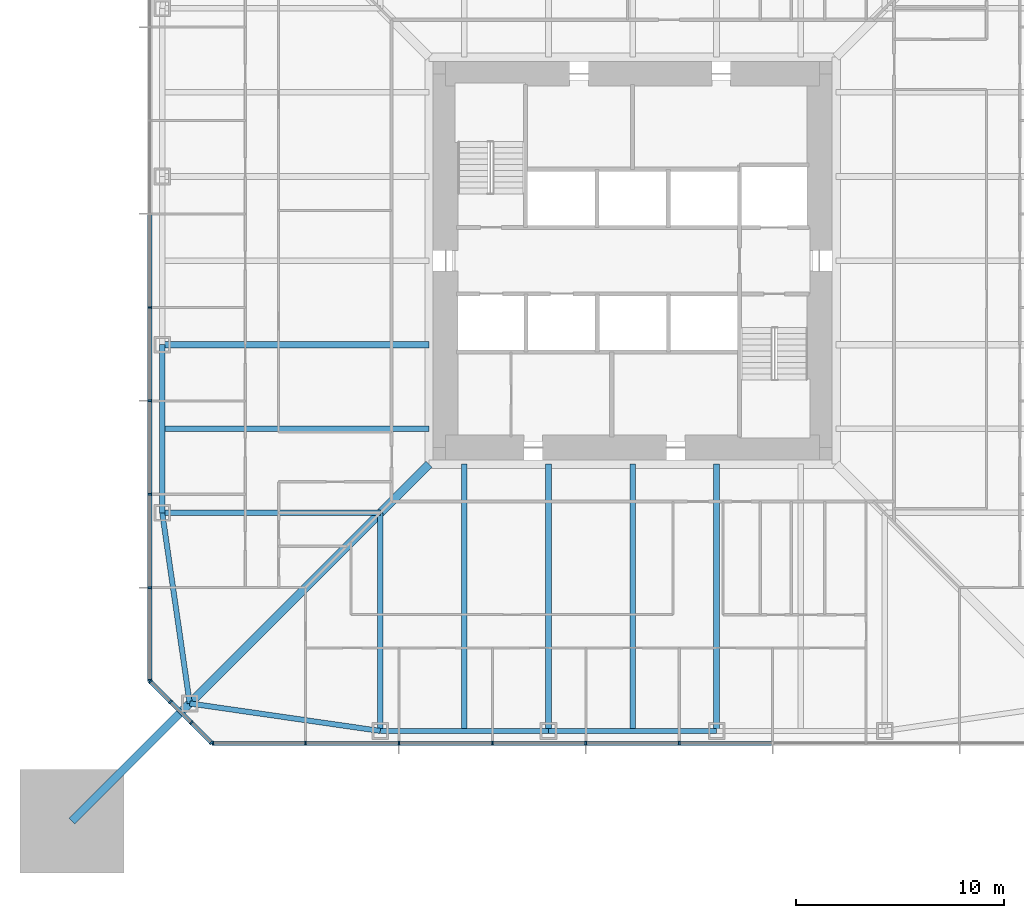
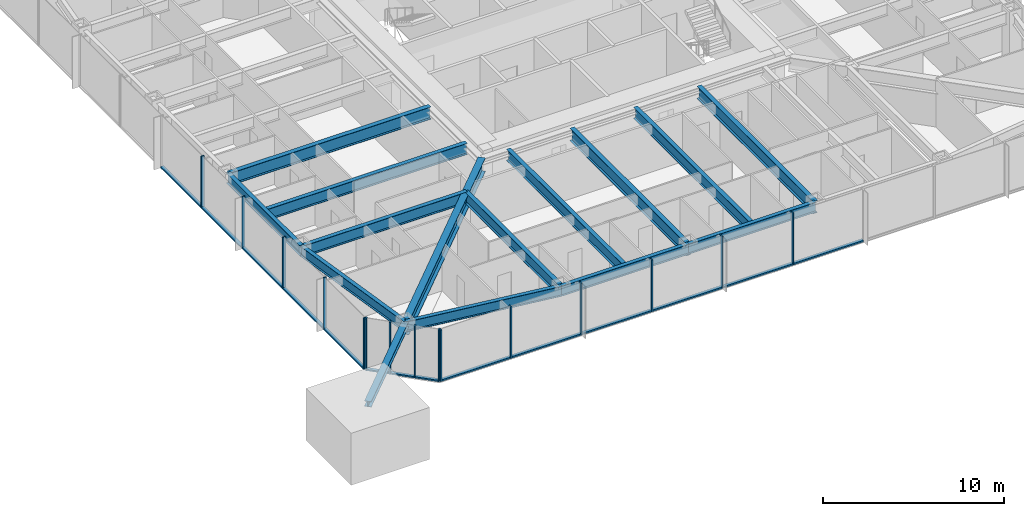
# One storey, part 3 of 26: 30 members, 14 beams, 3 elements without a shape of their own.
"""IFC4 building model written with IfcOpenShell, lengths in metres."""

from ifc_helpers import new_model, si_unit, direction, frame, origin, origin_2d, place, context, subcontext, project, spatial, rectangle, i_section, extrude, material, material_profile, profile_set, type_object, element, aggregate, save


model = new_model("IFC4")

# Units and contexts
model_context = context("Model", 3, precision=1e-05, world=origin(), true_north=direction((0.0, 1.0)))
body_context = subcontext(model_context, "Body", "Model", "MODEL_VIEW")
ifc_project = project(units=[si_unit("LENGTHUNIT", "METRE"), si_unit("AREAUNIT", "SQUARE_METRE"), si_unit("VOLUMEUNIT", "CUBIC_METRE"), si_unit("PLANEANGLEUNIT", "RADIAN"), si_unit("MASSUNIT", "GRAM", prefix="KILO")], contexts=[model_context])

# Site, building, storey
site_placement = place(None, origin())
site = spatial("IfcSite", under=ifc_project, at=site_placement, CompositionType="ELEMENT")
building_placement = place(site_placement, origin())
building = spatial("IfcBuilding", under=site, at=building_placement, Name="Iwan Alto Co-Living Towers", CompositionType="ELEMENT")
storey_placement = place(building_placement, frame((0.0, 0.0, 32.5)))
storey = spatial("IfcBuildingStorey", under=building, at=storey_placement, Name="L08", CompositionType="ELEMENT", Elevation=32.5)

# Curtain wall, members
ifc_material_1 = material(Name="Bronze aluminium unitised frame", Category="aluminium")
curtain_wall_type_1 = type_object("IfcCurtainWallType", Name="CURTAIN WALL CW-A", PredefinedType="NOTDEFINED", material=ifc_material_1)
curtain_wall_1_placement = place(storey_placement, origin())
curtain_wall_1 = element("IfcCurtainWall", 1, at=curtain_wall_1_placement, inside=storey, type_object=curtain_wall_type_1, Name="T1 curtain wall S L08", PredefinedType="NOTDEFINED")
ifc_material_2 = material(Name="Aluminium 6063-T6 bronze anodised", Category="aluminium")
ifc_material_profile_1 = material_profile(ifc_material_2, rectangle(XDim=0.199951171875, YDim=0.080078125, at=origin_2d()), Name="AL 80X200")
ifc_profile_set_1 = profile_set([ifc_material_profile_1], Name="Aluminium 6063-T6 bronze anodised")
member_type_1 = type_object("IfcMemberType", Name="CW-A MULLION 80X200", PredefinedType="MULLION", material=ifc_profile_set_1)
member_1_placement = place(storey_placement, frame((-20.2099609375, -23.25, 0.0), z_axis=(0.0, 0.0, 1.0), x_axis=(0.0, 1.0, 0.0)))
member_1 = element("IfcMember", 2, at=member_1_placement, type_object=member_type_1, Name="CW-A mullion 1", PredefinedType="MULLION", context=body_context, shape_type="SweptSolid", body=[
    extrude(rectangle(XDim=0.199951171875, YDim=0.080078125, at=origin_2d()), origin(), (0.0, 0.0, 1.0), 3.5),
])
member_2_placement = place(storey_placement, frame((-15.75, -23.25, 0.0), z_axis=(0.0, 0.0, 1.0), x_axis=(0.0, 1.0, 0.0)))
member_2 = element("IfcMember", 3, at=member_2_placement, type_object=member_type_1, Name="CW-A mullion 2", PredefinedType="MULLION", context=body_context, shape_type="SweptSolid", body=[
    extrude(rectangle(XDim=0.199951171875, YDim=0.080078125, at=origin_2d()), origin(), (0.0, 0.0, 1.0), 3.5),
])
member_3_placement = place(storey_placement, frame((-11.25, -23.25, 0.0), z_axis=(0.0, 0.0, 1.0), x_axis=(0.0, 1.0, 0.0)))
member_3 = element("IfcMember", 4, at=member_3_placement, type_object=member_type_1, Name="CW-A mullion 3", PredefinedType="MULLION", context=body_context, shape_type="SweptSolid", body=[
    extrude(rectangle(XDim=0.199951171875, YDim=0.080078125, at=origin_2d()), origin(), (0.0, 0.0, 1.0), 3.5),
])
member_4_placement = place(storey_placement, frame((-6.75, -23.25, 0.0), z_axis=(0.0, 0.0, 1.0), x_axis=(0.0, 1.0, 0.0)))
member_4 = element("IfcMember", 5, at=member_4_placement, type_object=member_type_1, Name="CW-A mullion 4", PredefinedType="MULLION", context=body_context, shape_type="SweptSolid", body=[
    extrude(rectangle(XDim=0.199951171875, YDim=0.080078125, at=origin_2d()), origin(), (0.0, 0.0, 1.0), 3.5),
])
member_5_placement = place(storey_placement, frame((-2.25, -23.25, 0.0), z_axis=(0.0, 0.0, 1.0), x_axis=(0.0, 1.0, 0.0)))
member_5 = element("IfcMember", 6, at=member_5_placement, type_object=member_type_1, Name="CW-A mullion 5", PredefinedType="MULLION", context=body_context, shape_type="SweptSolid", body=[
    extrude(rectangle(XDim=0.199951171875, YDim=0.080078125, at=origin_2d()), origin(), (0.0, 0.0, 1.0), 3.5),
])
member_6_placement = place(storey_placement, frame((2.25, -23.25, 0.0), z_axis=(0.0, 0.0, 1.0), x_axis=(0.0, 1.0, 0.0)))
member_6 = element("IfcMember", 7, at=member_6_placement, type_object=member_type_1, Name="CW-A mullion 6", PredefinedType="MULLION", context=body_context, shape_type="SweptSolid", body=[
    extrude(rectangle(XDim=0.199951171875, YDim=0.080078125, at=origin_2d()), origin(), (0.0, 0.0, 1.0), 3.5),
])

curtain_wall_2_placement = place(storey_placement, origin())
curtain_wall_2 = element("IfcCurtainWall", 8, at=curtain_wall_2_placement, inside=storey, type_object=curtain_wall_type_1, Name="T1 curtain wall W L08", PredefinedType="NOTDEFINED")
member_7_placement = place(storey_placement, frame((-23.25, -2.25, 0.0), z_axis=(0.0, 0.0, 1.0), x_axis=(1.0, 0.0, 0.0)))
member_7 = element("IfcMember", 9, at=member_7_placement, type_object=member_type_1, Name="CW-A mullion 6", PredefinedType="MULLION", context=body_context, shape_type="SweptSolid", body=[
    extrude(rectangle(XDim=0.199951171875, YDim=0.080078125, at=origin_2d()), origin(), (0.0, 0.0, 1.0), 3.5),
])
member_8_placement = place(storey_placement, frame((-23.25, -6.75, 0.0), z_axis=(0.0, 0.0, 1.0), x_axis=(1.0, 0.0, 0.0)))
member_8 = element("IfcMember", 10, at=member_8_placement, type_object=member_type_1, Name="CW-A mullion 7", PredefinedType="MULLION", context=body_context, shape_type="SweptSolid", body=[
    extrude(rectangle(XDim=0.199951171875, YDim=0.080078125, at=origin_2d()), origin(), (0.0, 0.0, 1.0), 3.5),
])
member_9_placement = place(storey_placement, frame((-23.25, -11.25, 0.0), z_axis=(0.0, 0.0, 1.0), x_axis=(1.0, 0.0, 0.0)))
member_9 = element("IfcMember", 11, at=member_9_placement, type_object=member_type_1, Name="CW-A mullion 8", PredefinedType="MULLION", context=body_context, shape_type="SweptSolid", body=[
    extrude(rectangle(XDim=0.199951171875, YDim=0.080078125, at=origin_2d()), origin(), (0.0, 0.0, 1.0), 3.5),
])
member_10_placement = place(storey_placement, frame((-23.25, -15.75, 0.0), z_axis=(0.0, 0.0, 1.0), x_axis=(1.0, 0.0, 0.0)))
member_10 = element("IfcMember", 12, at=member_10_placement, type_object=member_type_1, Name="CW-A mullion 9", PredefinedType="MULLION", context=body_context, shape_type="SweptSolid", body=[
    extrude(rectangle(XDim=0.199951171875, YDim=0.080078125, at=origin_2d()), origin(), (0.0, 0.0, 1.0), 3.5),
])
member_11_placement = place(storey_placement, frame((-23.25, -20.2099609375, 0.0), z_axis=(0.0, 0.0, 1.0), x_axis=(1.0, 0.0, 0.0)))
member_11 = element("IfcMember", 13, at=member_11_placement, type_object=member_type_1, Name="CW-A mullion 10", PredefinedType="MULLION", context=body_context, shape_type="SweptSolid", body=[
    extrude(rectangle(XDim=0.199951171875, YDim=0.080078125, at=origin_2d()), origin(), (0.0, 0.0, 1.0), 3.5),
])

# Member
ifc_material_3 = material(Name="Aluminium 6063-T6 bronze anodised", Category="aluminium")
ifc_material_profile_2 = material_profile(ifc_material_3, rectangle(XDim=0.199951171875, YDim=0.10009765625, at=origin_2d()), Name="AL 200X100")
ifc_profile_set_2 = profile_set([ifc_material_profile_2], Name="Aluminium 6063-T6 bronze anodised")
member_type_2 = type_object("IfcMemberType", Name="CW-A TRANSOM 200X100", PredefinedType="USERDEFINED", material=ifc_profile_set_2)
member_12_placement = place(storey_placement, frame((-20.169921875, -23.25, 0.050048828125), z_axis=(1.0, 0.0, 0.0), x_axis=(0.0, 1.0, 0.0)))
member_12 = element("IfcMember", 14, at=member_12_placement, type_object=member_type_2, Name="CW-A transom 1.1", ObjectType="TRANSOM", PredefinedType="USERDEFINED", context=body_context, shape_type="SweptSolid", body=[
    extrude(rectangle(XDim=0.199951171875, YDim=0.10009765625, at=origin_2d()), origin(), (0.0, 0.0, 1.0), 4.3798828125),
])

member_13_placement = place(storey_placement, frame((-15.7099609375, -23.25, 0.050048828125), z_axis=(1.0, 0.0, 0.0), x_axis=(0.0, 1.0, 0.0)))
member_13 = element("IfcMember", 15, at=member_13_placement, type_object=member_type_2, Name="CW-A transom 2.1", ObjectType="TRANSOM", PredefinedType="USERDEFINED", context=body_context, shape_type="SweptSolid", body=[
    extrude(rectangle(XDim=0.199951171875, YDim=0.10009765625, at=origin_2d()), origin(), (0.0, 0.0, 1.0), 4.419921875),
])

member_14_placement = place(storey_placement, frame((-11.2099609375, -23.25, 0.050048828125), z_axis=(1.0, 0.0, 0.0), x_axis=(0.0, 1.0, 0.0)))
member_14 = element("IfcMember", 16, at=member_14_placement, type_object=member_type_2, Name="CW-A transom 3.1", ObjectType="TRANSOM", PredefinedType="USERDEFINED", context=body_context, shape_type="SweptSolid", body=[
    extrude(rectangle(XDim=0.199951171875, YDim=0.10009765625, at=origin_2d()), origin(), (0.0, 0.0, 1.0), 4.419921875),
])

member_15_placement = place(storey_placement, frame((-6.7099609375, -23.25, 0.050048828125), z_axis=(1.0, 0.0, 0.0), x_axis=(0.0, 1.0, 0.0)))
member_15 = element("IfcMember", 17, at=member_15_placement, type_object=member_type_2, Name="CW-A transom 4.1", ObjectType="TRANSOM", PredefinedType="USERDEFINED", context=body_context, shape_type="SweptSolid", body=[
    extrude(rectangle(XDim=0.199951171875, YDim=0.10009765625, at=origin_2d()), origin(), (0.0, 0.0, 1.0), 4.419921875),
])

member_16_placement = place(storey_placement, frame((-2.2099609375, -23.25, 0.050048828125), z_axis=(1.0, 0.0, 0.0), x_axis=(0.0, 1.0, 0.0)))
member_16 = element("IfcMember", 18, at=member_16_placement, type_object=member_type_2, Name="CW-A transom 5.1", ObjectType="TRANSOM", PredefinedType="USERDEFINED", context=body_context, shape_type="SweptSolid", body=[
    extrude(rectangle(XDim=0.199951171875, YDim=0.10009765625, at=origin_2d()), origin(), (0.0, 0.0, 1.0), 4.419921875),
])

member_17_placement = place(storey_placement, frame((2.2900390625, -23.25, 0.050048828125), z_axis=(1.0, 0.0, 0.0), x_axis=(0.0, 1.0, 0.0)))
member_17 = element("IfcMember", 19, at=member_17_placement, type_object=member_type_2, Name="CW-A transom 6.1", ObjectType="TRANSOM", PredefinedType="USERDEFINED", context=body_context, shape_type="SweptSolid", body=[
    extrude(rectangle(XDim=0.199951171875, YDim=0.10009765625, at=origin_2d()), origin(), (0.0, 0.0, 1.0), 4.419921875),
])

aggregate(curtain_wall_1, [member_1, member_2, member_3, member_4, member_5, member_6, member_12, member_13, member_14, member_15, member_16, member_17])

member_18_placement = place(storey_placement, frame((-23.25, 2.2099609375, 0.050048828125), z_axis=(0.0, -1.0, 0.0), x_axis=(1.0, 0.0, 0.0)))
member_18 = element("IfcMember", 20, at=member_18_placement, type_object=member_type_2, Name="CW-A transom 5.1", ObjectType="TRANSOM", PredefinedType="USERDEFINED", context=body_context, shape_type="SweptSolid", body=[
    extrude(rectangle(XDim=0.199951171875, YDim=0.10009765625, at=origin_2d()), origin(), (0.0, 0.0, 1.0), 4.419921875),
])

member_19_placement = place(storey_placement, frame((-23.25, -2.2900390625, 0.050048828125), z_axis=(0.0, -1.0, 0.0), x_axis=(1.0, 0.0, 0.0)))
member_19 = element("IfcMember", 21, at=member_19_placement, type_object=member_type_2, Name="CW-A transom 6.1", ObjectType="TRANSOM", PredefinedType="USERDEFINED", context=body_context, shape_type="SweptSolid", body=[
    extrude(rectangle(XDim=0.199951171875, YDim=0.10009765625, at=origin_2d()), origin(), (0.0, 0.0, 1.0), 4.419921875),
])

member_20_placement = place(storey_placement, frame((-23.25, -6.7900390625, 0.050048828125), z_axis=(0.0, -1.0, 0.0), x_axis=(1.0, 0.0, 0.0)))
member_20 = element("IfcMember", 22, at=member_20_placement, type_object=member_type_2, Name="CW-A transom 7.1", ObjectType="TRANSOM", PredefinedType="USERDEFINED", context=body_context, shape_type="SweptSolid", body=[
    extrude(rectangle(XDim=0.199951171875, YDim=0.10009765625, at=origin_2d()), origin(), (0.0, 0.0, 1.0), 4.419921875),
])

member_21_placement = place(storey_placement, frame((-23.25, -11.2900390625, 0.050048828125), z_axis=(0.0, -1.0, 0.0), x_axis=(1.0, 0.0, 0.0)))
member_21 = element("IfcMember", 23, at=member_21_placement, type_object=member_type_2, Name="CW-A transom 8.1", ObjectType="TRANSOM", PredefinedType="USERDEFINED", context=body_context, shape_type="SweptSolid", body=[
    extrude(rectangle(XDim=0.199951171875, YDim=0.10009765625, at=origin_2d()), origin(), (0.0, 0.0, 1.0), 4.419921875),
])

member_22_placement = place(storey_placement, frame((-23.25, -15.7900390625, 0.050048828125), z_axis=(0.0, -1.0, 0.0), x_axis=(1.0, 0.0, 0.0)))
member_22 = element("IfcMember", 24, at=member_22_placement, type_object=member_type_2, Name="CW-A transom 9.1", ObjectType="TRANSOM", PredefinedType="USERDEFINED", context=body_context, shape_type="SweptSolid", body=[
    extrude(rectangle(XDim=0.199951171875, YDim=0.10009765625, at=origin_2d()), origin(), (0.0, 0.0, 1.0), 4.3798828125),
])

aggregate(curtain_wall_2, [member_7, member_8, member_9, member_10, member_11, member_18, member_19, member_20, member_21, member_22])

# Curtain wall, members
ifc_material_4 = material(Name="Bronze aluminium unitised frame", Category="aluminium")
curtain_wall_type_2 = type_object("IfcCurtainWallType", Name="CURTAIN WALL CW-B", PredefinedType="NOTDEFINED", material=ifc_material_4)
curtain_wall_3_placement = place(storey_placement, origin())
curtain_wall_3 = element("IfcCurtainWall", 25, at=curtain_wall_3_placement, inside=storey, type_object=curtain_wall_type_2, Name="T1 chamfer curtain wall SW L08", PredefinedType="NOTDEFINED")
ifc_material_5 = material(Name="Aluminium 6063-T6 bronze anodised", Category="aluminium")
ifc_material_profile_3 = material_profile(ifc_material_5, rectangle(XDim=0.199951171875, YDim=0.080078125, at=origin_2d()), Name="AL 80X200")
ifc_profile_set_3 = profile_set([ifc_material_profile_3], Name="Aluminium 6063-T6 bronze anodised")
member_type_3 = type_object("IfcMemberType", Name="CW-B MULLION 80X200", PredefinedType="MULLION", material=ifc_profile_set_3)
member_23_placement = place(storey_placement, frame((-23.2216796875, -20.2783203125, 0.0), z_axis=(0.0, 0.0, 1.0), x_axis=(0.707106781187, 0.707106781187, 0.0)))
member_23 = element("IfcMember", 26, at=member_23_placement, type_object=member_type_3, Name="CW-B mullion 1", PredefinedType="MULLION", context=body_context, shape_type="SweptSolid", body=[
    extrude(rectangle(XDim=0.199951171875, YDim=0.080078125, at=origin_2d()), origin(), (0.0, 0.0, 1.0), 3.5),
])
member_24_placement = place(storey_placement, frame((-22.25, -21.25, 0.0), z_axis=(0.0, 0.0, 1.0), x_axis=(0.707106781187, 0.707106781187, 0.0)))
member_24 = element("IfcMember", 27, at=member_24_placement, type_object=member_type_3, Name="CW-B mullion 2", PredefinedType="MULLION", context=body_context, shape_type="SweptSolid", body=[
    extrude(rectangle(XDim=0.199951171875, YDim=0.080078125, at=origin_2d()), origin(), (0.0, 0.0, 1.0), 3.5),
])
member_25_placement = place(storey_placement, frame((-21.25, -22.25, 0.0), z_axis=(0.0, 0.0, 1.0), x_axis=(0.707106781187, 0.707106781187, 0.0)))
member_25 = element("IfcMember", 28, at=member_25_placement, type_object=member_type_3, Name="CW-B mullion 3", PredefinedType="MULLION", context=body_context, shape_type="SweptSolid", body=[
    extrude(rectangle(XDim=0.199951171875, YDim=0.080078125, at=origin_2d()), origin(), (0.0, 0.0, 1.0), 3.5),
])
member_26_placement = place(storey_placement, frame((-20.2783203125, -23.2216796875, 0.0), z_axis=(0.0, 0.0, 1.0), x_axis=(0.707106781187, 0.707106781187, 0.0)))
member_26 = element("IfcMember", 29, at=member_26_placement, type_object=member_type_3, Name="CW-B mullion 4", PredefinedType="MULLION", context=body_context, shape_type="SweptSolid", body=[
    extrude(rectangle(XDim=0.199951171875, YDim=0.080078125, at=origin_2d()), origin(), (0.0, 0.0, 1.0), 3.5),
])
ifc_material_6 = material(Name="Aluminium 6063-T6 bronze anodised", Category="aluminium")
ifc_material_profile_4 = material_profile(ifc_material_6, rectangle(XDim=0.199951171875, YDim=0.10009765625, at=origin_2d()), Name="AL 200X100")
ifc_profile_set_4 = profile_set([ifc_material_profile_4], Name="Aluminium 6063-T6 bronze anodised")
member_type_4 = type_object("IfcMemberType", Name="CW-B TRANSOM 200X100", PredefinedType="USERDEFINED", material=ifc_profile_set_4)
member_27_placement = place(storey_placement, frame((-23.193359375, -20.306640625, 0.050048828125), z_axis=(0.707106781187, -0.707106781187, 0.0), x_axis=(0.707106781187, 0.707106781187, 0.0)))
member_27 = element("IfcMember", 30, at=member_27_placement, type_object=member_type_4, Name="CW-B transom 1.1", ObjectType="TRANSOM", PredefinedType="USERDEFINED", context=body_context, shape_type="SweptSolid", body=[
    extrude(rectangle(XDim=0.199951171875, YDim=0.10009765625, at=origin_2d()), origin(), (0.0, 0.0, 1.0), 1.2939453125),
])
member_28_placement = place(storey_placement, frame((-22.2216796875, -21.2783203125, 0.050048828125), z_axis=(0.707106781187, -0.707106781187, 0.0), x_axis=(0.707106781187, 0.707106781187, 0.0)))
member_28 = element("IfcMember", 31, at=member_28_placement, type_object=member_type_4, Name="CW-B transom 2.1", ObjectType="TRANSOM", PredefinedType="USERDEFINED", context=body_context, shape_type="SweptSolid", body=[
    extrude(rectangle(XDim=0.199951171875, YDim=0.10009765625, at=origin_2d()), origin(), (0.0, 0.0, 1.0), 1.334228515625),
])
member_29_placement = place(storey_placement, frame((-21.2216796875, -22.2783203125, 0.050048828125), z_axis=(0.707106781187, -0.707106781187, 0.0), x_axis=(0.707106781187, 0.707106781187, 0.0)))
member_29 = element("IfcMember", 32, at=member_29_placement, type_object=member_type_4, Name="CW-B transom 3.1", ObjectType="TRANSOM", PredefinedType="USERDEFINED", context=body_context, shape_type="SweptSolid", body=[
    extrude(rectangle(XDim=0.199951171875, YDim=0.10009765625, at=origin_2d()), origin(), (0.0, 0.0, 1.0), 1.2939453125),
])
aggregate(curtain_wall_3, [member_23, member_24, member_25, member_26, member_27, member_28, member_29])

# Beams
ifc_material_7 = material(Name="Steel ASTM A992 Gr 50", Category="steel")
ifc_material_profile_5 = material_profile(ifc_material_7, i_section(OverallWidth=0.419189453125, OverallDepth=0.927001953125, WebThickness=0.019287109375, FlangeThickness=0.031982421875, at=origin_2d()), Name="W36X231")
ifc_profile_set_5 = profile_set([ifc_material_profile_5], Name="Steel ASTM A992 Gr 50")
beam_type_1 = type_object("IfcBeamType", Name="T1 CORNER GIRDER W36X231", PredefinedType="BEAM", material=ifc_profile_set_5)
beam_1_placement = place(storey_placement, frame((-21.32568359375, -21.32568359375, 2.806396484375), z_axis=(0.707106781187, 0.707106781187, 0.0), x_axis=(-0.707106781187, 0.707106781187, 0.0)))
element("IfcBeam", 33, at=beam_1_placement, inside=storey, type_object=beam_type_1, Name="T1 corner girder CSW L09", PredefinedType="BEAM", context=body_context, shape_type="SweptSolid", body=[
    extrude(i_section(OverallWidth=0.419189453125, OverallDepth=0.927001953125, WebThickness=0.019287109375, FlangeThickness=0.031982421875, at=origin_2d()), origin(), (0.0, 0.0, 1.0), 16.296875),
])
ifc_material_8 = material(Name="Steel ASTM A992 Gr 50", Category="steel")
ifc_material_profile_6 = material_profile(ifc_material_8, i_section(OverallWidth=0.25390625, OverallDepth=0.683349609375, WebThickness=0.012451171875, FlangeThickness=0.018798828125, at=origin_2d()), Name="W27X94")
ifc_profile_set_6 = profile_set([ifc_material_profile_6], Name="Steel ASTM A992 Gr 50")
beam_type_2 = type_object("IfcBeamType", Name="T1 EDGE BEAM W27X94", PredefinedType="BEAM", material=ifc_profile_set_6)
beam_2_placement = place(storey_placement, frame((-21.32568359375, -21.32568359375, 2.928466796875), z_axis=(0.989746234347, -0.142836940589, 0.0), x_axis=(0.142836940589, 0.989746234347, 0.0)))
element("IfcBeam", 34, at=beam_2_placement, inside=storey, type_object=beam_type_2, Name="T1 edge beam CSW L09", PredefinedType="BEAM", context=body_context, shape_type="SweptSolid", body=[
    extrude(i_section(OverallWidth=0.25390625, OverallDepth=0.683349609375, WebThickness=0.012451171875, FlangeThickness=0.018798828125, at=origin_2d()), origin(), (0.0, 0.0, 1.0), 9.270751953125),
])
beam_3_placement = place(storey_placement, frame((-12.14990234375, -22.64990234375, 2.928466796875), z_axis=(1.0, 0.0, 0.0), x_axis=(0.0, 1.0, 0.0)))
element("IfcBeam", 35, at=beam_3_placement, inside=storey, type_object=beam_type_2, Name="T1 edge beam S1 L09", PredefinedType="BEAM", context=body_context, shape_type="SweptSolid", body=[
    extrude(i_section(OverallWidth=0.25390625, OverallDepth=0.683349609375, WebThickness=0.012451171875, FlangeThickness=0.018798828125, at=origin_2d()), origin(), (0.0, 0.0, 1.0), 8.099853515625),
])
beam_4_placement = place(storey_placement, frame((-4.050048828125, -22.64990234375, 2.928466796875), z_axis=(1.0, 0.0, 0.0), x_axis=(0.0, 1.0, 0.0)))
element("IfcBeam", 36, at=beam_4_placement, inside=storey, type_object=beam_type_2, Name="T1 edge beam S2 L09", PredefinedType="BEAM", context=body_context, shape_type="SweptSolid", body=[
    extrude(i_section(OverallWidth=0.25390625, OverallDepth=0.683349609375, WebThickness=0.012451171875, FlangeThickness=0.018798828125, at=origin_2d()), origin(), (0.0, 0.0, 1.0), 8.10009765625),
])
beam_5_placement = place(storey_placement, frame((-22.64990234375, -4.050048828125, 2.928466796875), z_axis=(0.0, -1.0, 0.0), x_axis=(1.0, 0.0, 0.0)))
element("IfcBeam", 37, at=beam_5_placement, inside=storey, type_object=beam_type_2, Name="T1 edge beam W3 L09", PredefinedType="BEAM", context=body_context, shape_type="SweptSolid", body=[
    extrude(i_section(OverallWidth=0.25390625, OverallDepth=0.683349609375, WebThickness=0.012451171875, FlangeThickness=0.018798828125, at=origin_2d()), origin(), (0.0, 0.0, 1.0), 8.099853515625),
])
beam_6_placement = place(storey_placement, frame((-22.64990234375, -12.14990234375, 2.928466796875), z_axis=(0.142836940589, -0.989746234347, 0.0), x_axis=(0.989746234347, 0.142836940589, 0.0)))
element("IfcBeam", 38, at=beam_6_placement, inside=storey, type_object=beam_type_2, Name="T1 edge beam W4 L09", PredefinedType="BEAM", context=body_context, shape_type="SweptSolid", body=[
    extrude(i_section(OverallWidth=0.25390625, OverallDepth=0.683349609375, WebThickness=0.012451171875, FlangeThickness=0.018798828125, at=origin_2d()), origin(), (0.0, 0.0, 1.0), 9.270751953125),
])

# Member
ifc_material_9 = material(Name="Steel ASTM A992 Gr 50", Category="steel")
ifc_material_profile_7 = material_profile(ifc_material_9, i_section(OverallWidth=0.393798828125, OverallDepth=0.3759765625, WebThickness=0.017333984375, FlangeThickness=0.027587890625, at=origin_2d()), Name="W14X145")
ifc_profile_set_7 = profile_set([ifc_material_profile_7], Name="Steel ASTM A992 Gr 50")
member_type_5 = type_object("IfcMemberType", Name="T1 MEGA COLUMN FLOOR TIE W14X145", PredefinedType="STRUT", material=ifc_profile_set_7)
member_30_placement = place(storey_placement, frame((-27.0, -27.0, 3.08203125), z_axis=(0.707106781187, 0.707106781187, 0.0), x_axis=(-0.707106781187, 0.707106781187, 0.0)))
element("IfcMember", 39, at=member_30_placement, inside=storey, type_object=member_type_5, Name="T1 mega column floor tie SW L09", PredefinedType="STRUT", context=body_context, shape_type="SweptSolid", body=[
    extrude(i_section(OverallWidth=0.393798828125, OverallDepth=0.3759765625, WebThickness=0.017333984375, FlangeThickness=0.027587890625, at=origin_2d()), origin(), (0.0, 0.0, 1.0), 8.024658203125),
])

# Beams
ifc_material_10 = material(Name="Steel ASTM A992 Gr 50", Category="steel")
ifc_material_profile_8 = material_profile(ifc_material_10, i_section(OverallWidth=0.2666015625, OverallDepth=0.761962890625, WebThickness=0.014404296875, FlangeThickness=0.021484375, at=origin_2d()), Name="W30X116")
ifc_profile_set_8 = profile_set([ifc_material_profile_8], Name="Steel ASTM A992 Gr 50")
beam_type_3 = type_object("IfcBeamType", Name="T1 RADIAL BEAM W30X116", PredefinedType="BEAM", material=ifc_profile_set_8)
for number, where, z_axis, x_axis, name in (
    (40, (-12.14990234375, -22.64990234375, 2.888916015625), (0.0, 1.0, 0.0), (-1.0, 0.0, 0.0), "T1 radial beam S1 L09"),
    (41, (-22.64990234375, -12.14990234375, 2.888916015625), (1.0, 0.0, 0.0), (0.0, 1.0, 0.0), "T1 radial beam W4 L09"),
):
    element("IfcBeam", number, at=place(storey_placement, frame(where, z_axis=z_axis, x_axis=x_axis)), inside=storey, type_object=beam_type_3, Name=name, PredefinedType="BEAM", context=body_context, shape_type="SweptSolid", body=[
        extrude(i_section(OverallWidth=0.2666015625, OverallDepth=0.761962890625, WebThickness=0.014404296875, FlangeThickness=0.021484375, at=origin_2d()), origin(), (0.0, 0.0, 1.0), 10.5),
    ])
ifc_material_11 = material(Name="Steel ASTM A992 Gr 50", Category="steel")
ifc_material_profile_9 = material_profile(ifc_material_11, i_section(OverallWidth=0.2919921875, OverallDepth=0.8408203125, WebThickness=0.0146484375, FlangeThickness=0.021728515625, at=origin_2d()), Name="W33X130")
ifc_profile_set_9 = profile_set([ifc_material_profile_9], Name="Steel ASTM A992 Gr 50")
beam_type_4 = type_object("IfcBeamType", Name="T1 RADIAL BEAM W33X130", PredefinedType="BEAM", material=ifc_profile_set_9)
for number, where, z_axis, x_axis, name in (
    (42, (-4.050048828125, -22.64990234375, 2.849609375), (0.0, 1.0, 0.0), (-1.0, 0.0, 0.0), "T1 radial beam S2 L09"),
    (43, (4.050048828125, -22.64990234375, 2.849609375), (0.0, 1.0, 0.0), (-1.0, 0.0, 0.0), "T1 radial beam S3 L09"),
    (44, (-22.64990234375, -4.050048828125, 2.849609375), (1.0, 0.0, 0.0), (0.0, 1.0, 0.0), "T1 radial beam W3 L09"),
):
    element("IfcBeam", number, at=place(storey_placement, frame(where, z_axis=z_axis, x_axis=x_axis)), inside=storey, type_object=beam_type_4, Name=name, PredefinedType="BEAM", context=body_context, shape_type="SweptSolid", body=[
        extrude(i_section(OverallWidth=0.2919921875, OverallDepth=0.8408203125, WebThickness=0.0146484375, FlangeThickness=0.021728515625, at=origin_2d()), origin(), (0.0, 0.0, 1.0), 12.847900390625),
    ])
ifc_material_12 = material(Name="Steel ASTM A992 Gr 50", Category="steel")
ifc_material_profile_10 = material_profile(ifc_material_12, i_section(OverallWidth=0.2666015625, OverallDepth=0.761962890625, WebThickness=0.014404296875, FlangeThickness=0.021484375, at=origin_2d()), Name="W30X116")
ifc_profile_set_10 = profile_set([ifc_material_profile_10], Name="Steel ASTM A992 Gr 50")
beam_type_5 = type_object("IfcBeamType", Name="T1 SECONDARY BEAM W30X116", PredefinedType="JOIST", material=ifc_profile_set_10)
for number, where, z_axis, x_axis, name in (
    (45, (-8.10009765625, -22.64990234375, 2.888916015625), (0.0, 1.0, 0.0), (-1.0, 0.0, 0.0), "T1 secondary beam S1 L09"),
    (46, (0.0, -22.64990234375, 2.888916015625), (0.0, 1.0, 0.0), (-1.0, 0.0, 0.0), "T1 secondary beam S2 L09"),
    (47, (-22.64990234375, -8.10009765625, 2.888916015625), (1.0, 0.0, 0.0), (0.0, 1.0, 0.0), "T1 secondary beam W3 L09"),
):
    element("IfcBeam", number, at=place(storey_placement, frame(where, z_axis=z_axis, x_axis=x_axis)), inside=storey, type_object=beam_type_5, Name=name, PredefinedType="JOIST", context=body_context, shape_type="SweptSolid", body=[
        extrude(i_section(OverallWidth=0.2666015625, OverallDepth=0.761962890625, WebThickness=0.014404296875, FlangeThickness=0.021484375, at=origin_2d()), origin(), (0.0, 0.0, 1.0), 12.847900390625),
    ])

save(model, "model.ifc")
